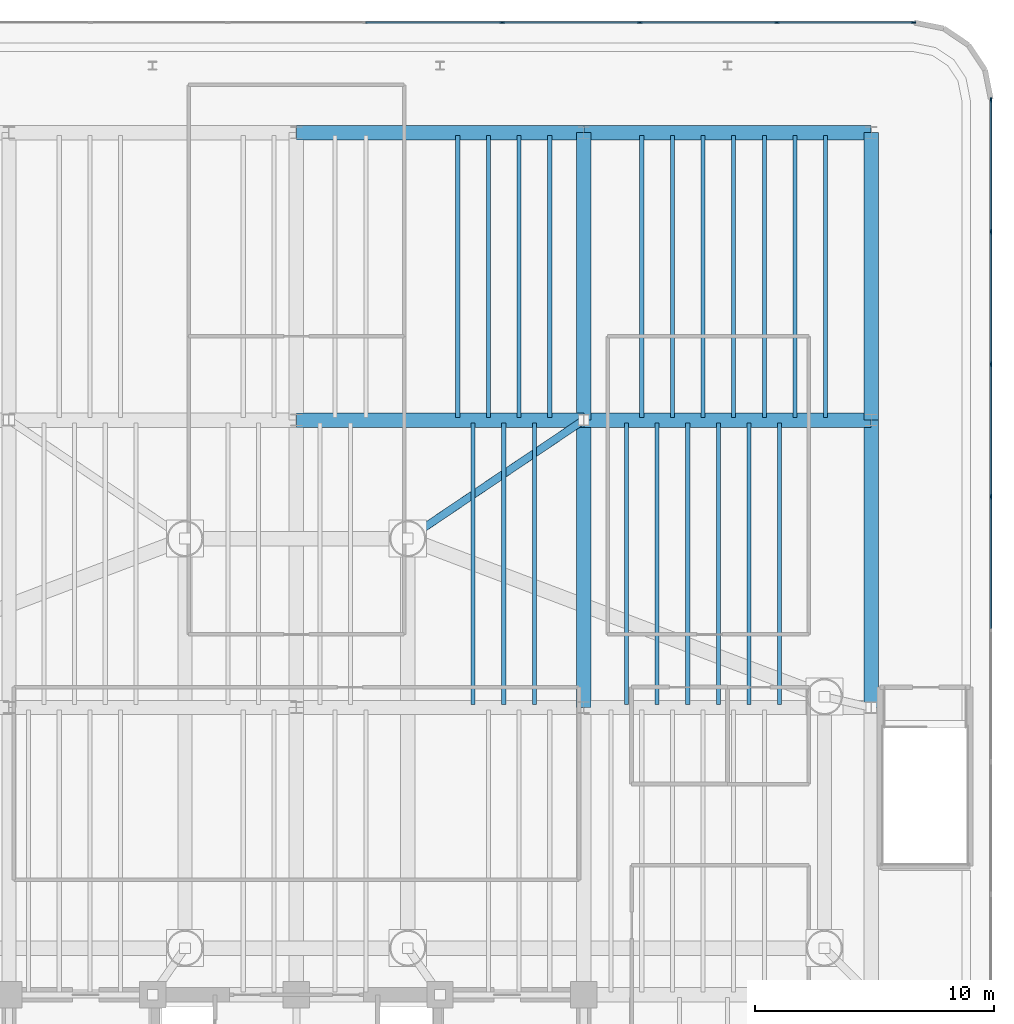
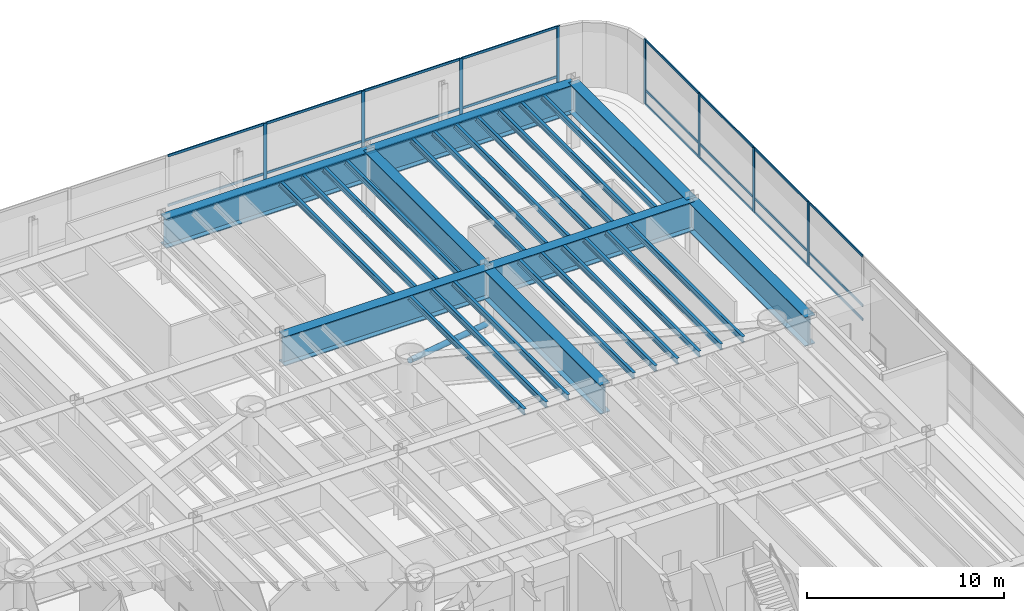
# One storey, part 10 of 18: 33 members, 28 beams, 2 elements without a shape of their own.
"""IFC4 building model written with IfcOpenShell, lengths in metres."""

from ifc_helpers import new_model, si_unit, direction, frame, origin, origin_2d, place, context, subcontext, project, spatial, rectangle, hollow_circle, i_section, extrude, source, transform, mapped, material, layer, layer_set, material_profile, profile_set, type_object, element, aggregate, save


model = new_model("IFC4")

# Units and contexts
model_context = context("Model", 3, precision=1e-05, world=origin(), true_north=direction((0.0, 1.0)))
body_context = subcontext(model_context, "Body", "Model", "MODEL_VIEW")
ifc_project = project(units=[si_unit("LENGTHUNIT", "METRE"), si_unit("AREAUNIT", "SQUARE_METRE"), si_unit("VOLUMEUNIT", "CUBIC_METRE"), si_unit("PLANEANGLEUNIT", "RADIAN"), si_unit("MASSUNIT", "GRAM", prefix="KILO")], contexts=[model_context])

# Site, building, storey
site_placement = place(None, origin())
site = spatial("IfcSite", under=ifc_project, at=site_placement, CompositionType="ELEMENT")
building_placement = place(site_placement, origin())
building = spatial("IfcBuilding", under=site, at=building_placement, Name="Brelvock Crest Care Tower", CompositionType="ELEMENT")
storey_placement = place(building_placement, frame((0.0, 0.0, 22.679931640625)))
storey = spatial("IfcBuildingStorey", under=building, at=storey_placement, Name="L05", CompositionType="ELEMENT", Elevation=22.679931640625)

# Beams
ifc_material_1 = material(Name="Steel Grade 350", Category="steel")
ifc_material_profile_1 = material_profile(ifc_material_1, i_section(OverallWidth=0.172119140625, OverallDepth=0.35888671875, WebThickness=0.008056640625, FlangeThickness=0.012939453125, FilletRadius=0.011474609375, at=origin_2d()), Name="360UB56.7")
ifc_profile_set_1 = profile_set([ifc_material_profile_1], Name="Steel Grade 350")
beam_type_1 = type_object("IfcBeamType", Name="BM-J1", PredefinedType="JOIST", material=ifc_profile_set_1)
shared_shape_1 = source(origin(), body_context, "Body", "SweptSolid", [
    extrude(i_section(OverallWidth=0.172119140625, OverallDepth=0.35888671875, WebThickness=0.008056640625, FlangeThickness=0.012939453125, FilletRadius=0.011474609375, at=origin_2d()), origin(), (0.0, 0.0, 1.0), 11.77001953125),
])
for number, where, z_axis, x_axis, name in (
    (1, (43.3798828125, 30.114990234375, 3.820556640625), (0.0, 1.0, 0.0), (-1.0, 0.0, 0.0), "BM-PODJ-L05-4338-30"),
    (2, (42.739990234375, 42.114990234375, 3.820556640625), (0.0, 1.0, 0.0), (-1.0, 0.0, 0.0), "BM-PODJ-L05-4274-42"),
    (3, (44.659912109375, 30.114990234375, 3.820556640625), (0.0, 1.0, 0.0), (-1.0, 0.0, 0.0), "BM-PODJ-L05-4466-30"),
    (4, (44.02001953125, 42.114990234375, 3.820556640625), (0.0, 1.0, 0.0), (-1.0, 0.0, 0.0), "BM-PODJ-L05-4402-42"),
    (5, (45.93994140625, 30.114990234375, 3.820556640625), (0.0, 1.0, 0.0), (-1.0, 0.0, 0.0), "BM-PODJ-L05-4594-30"),
    (6, (45.300048828125, 42.114990234375, 3.820556640625), (0.0, 1.0, 0.0), (-1.0, 0.0, 0.0), "BM-PODJ-L05-4530-42"),
    (7, (46.580078125, 42.114990234375, 3.820556640625), (0.0, 1.0, 0.0), (-1.0, 0.0, 0.0), "BM-PODJ-L05-4658-42"),
    (8, (49.780029296875, 30.114990234375, 3.820556640625), (0.0, 1.0, 0.0), (-1.0, 0.0, 0.0), "BM-PODJ-L05-4978-30"),
    (9, (51.06005859375, 30.114990234375, 3.820556640625), (0.0, 1.0, 0.0), (-1.0, 0.0, 0.0), "BM-PODJ-L05-5106-30"),
    (10, (50.419921875, 42.114990234375, 3.820556640625), (0.0, 1.0, 0.0), (-1.0, 0.0, 0.0), "BM-PODJ-L05-5042-42"),
    (11, (52.340087890625, 30.114990234375, 3.820556640625), (0.0, 1.0, 0.0), (-1.0, 0.0, 0.0), "BM-PODJ-L05-5234-30"),
    (12, (51.699951171875, 42.114990234375, 3.820556640625), (0.0, 1.0, 0.0), (-1.0, 0.0, 0.0), "BM-PODJ-L05-5170-42"),
    (13, (53.6201171875, 30.114990234375, 3.820556640625), (0.0, 1.0, 0.0), (-1.0, 0.0, 0.0), "BM-PODJ-L05-5362-30"),
    (14, (52.97998046875, 42.114990234375, 3.820556640625), (0.0, 1.0, 0.0), (-1.0, 0.0, 0.0), "BM-PODJ-L05-5298-42"),
    (15, (54.89990234375, 30.114990234375, 3.820556640625), (0.0, 1.0, 0.0), (-1.0, 0.0, 0.0), "BM-PODJ-L05-5490-30"),
    (16, (54.260009765625, 42.114990234375, 3.820556640625), (0.0, 1.0, 0.0), (-1.0, 0.0, 0.0), "BM-PODJ-L05-5426-42"),
    (17, (56.179931640625, 30.114990234375, 3.820556640625), (0.0, 1.0, 0.0), (-1.0, 0.0, 0.0), "BM-PODJ-L05-5618-30"),
    (18, (55.5400390625, 42.114990234375, 3.820556640625), (0.0, 1.0, 0.0), (-1.0, 0.0, 0.0), "BM-PODJ-L05-5554-42"),
    (19, (56.820068359375, 42.114990234375, 3.820556640625), (0.0, 1.0, 0.0), (-1.0, 0.0, 0.0), "BM-PODJ-L05-5682-42"),
    (20, (58.10009765625, 42.114990234375, 3.820556640625), (0.0, 1.0, 0.0), (-1.0, 0.0, 0.0), "BM-PODJ-L05-5810-42"),
):
    element("IfcBeam", number, at=place(storey_placement, frame(where, z_axis=z_axis, x_axis=x_axis)), inside=storey, type_object=beam_type_1, Name=name, PredefinedType="JOIST", context=body_context, shape_type="MappedRepresentation", body=[
        mapped(shared_shape_1, transform((0.0, 0.0, 0.0), x_axis=(1.0, 0.0, 0.0), y_axis=(0.0, 1.0, 0.0), z_axis=(0.0, 0.0, 1.0), scale=1.0)),
    ])
ifc_material_profile_2 = material_profile(ifc_material_1, i_section(OverallWidth=0.60009765625, OverallDepth=1.800048828125, WebThickness=0.028076171875, FlangeThickness=0.052001953125, at=origin_2d()), Name="1800TG740")
ifc_profile_set_2 = profile_set([ifc_material_profile_2], Name="Steel Grade 350")
beam_type_2 = type_object("IfcBeamType", Name="BM-TG1", PredefinedType="USERDEFINED", material=ifc_profile_set_2)
shared_shape_2 = source(origin(), body_context, "Body", "SweptSolid", [
    extrude(i_section(OverallWidth=0.60009765625, OverallDepth=1.800048828125, WebThickness=0.028076171875, FlangeThickness=0.052001953125, at=origin_2d()), origin(), (0.0, 0.0, 1.0), 12.0),
])
for number, where, z_axis, x_axis, name in (
    (21, (36.0, 42.0, 3.10009765625), (1.0, 0.0, 0.0), (0.0, 1.0, 0.0), "BM-PODX-L05-42-36"),
    (22, (48.0, 42.0, 3.10009765625), (1.0, 0.0, 0.0), (0.0, 1.0, 0.0), "BM-PODX-L05-42-48"),
    (23, (36.0, 54.0, 3.10009765625), (1.0, 0.0, 0.0), (0.0, 1.0, 0.0), "BM-PODX-L05-54-36"),
    (24, (48.0, 54.0, 3.10009765625), (1.0, 0.0, 0.0), (0.0, 1.0, 0.0), "BM-PODX-L05-54-48"),
    (25, (48.0, 30.0, 3.10009765625), (0.0, 1.0, 0.0), (-1.0, 0.0, 0.0), "BM-PODY-L05-48-30"),
    (26, (48.0, 42.0, 3.10009765625), (0.0, 1.0, 0.0), (-1.0, 0.0, 0.0), "BM-PODY-L05-48-42"),
    (27, (60.0, 30.0, 3.10009765625), (0.0, 1.0, 0.0), (-1.0, 0.0, 0.0), "BM-PODY-L05-60-30"),
    (28, (60.0, 42.0, 3.10009765625), (0.0, 1.0, 0.0), (-1.0, 0.0, 0.0), "BM-PODY-L05-60-42"),
):
    element("IfcBeam", number, at=place(storey_placement, frame(where, z_axis=z_axis, x_axis=x_axis)), inside=storey, type_object=beam_type_2, Name=name, ObjectType="GIRDER", PredefinedType="USERDEFINED", context=body_context, shape_type="MappedRepresentation", body=[
        mapped(shared_shape_2, transform((0.0, 0.0, 0.0), x_axis=(1.0, 0.0, 0.0), y_axis=(0.0, 1.0, 0.0), z_axis=(0.0, 0.0, 1.0), scale=1.0)),
    ])

# Member
ifc_material_profile_3 = material_profile(ifc_material_1, hollow_circle(Radius=0.161865234375, WallThickness=0.0126953125, at=origin_2d()), Name="CHS323.9x12.7")
ifc_profile_set_3 = profile_set([ifc_material_profile_3], Name="Steel Grade 350")
member_type_1 = type_object("IfcMemberType", Name="MEM-ST1", PredefinedType="STRUT", material=ifc_profile_set_3)
shared_shape_3 = source(origin(), body_context, "Body", "SweptSolid", [
    extrude(hollow_circle(Radius=0.161865234375, WallThickness=0.0126953125, at=origin_2d()), origin(), (0.0, 0.0, 1.0), 9.463134765625),
])
member_1_placement = place(storey_placement, frame((48.0, 42.0, 0.449951171875), z_axis=(-0.776717713092, -0.523083492757, 0.350846481776), x_axis=(0.558591482686, -0.829442918754, 0.0)))
element("IfcMember", 29, at=member_1_placement, inside=storey, type_object=member_type_1, Name="L05 Transfer Strut PST-08", PredefinedType="STRUT", context=body_context, shape_type="MappedRepresentation", body=[
    mapped(shared_shape_3, transform((0.0, 0.0, 0.0), x_axis=(1.0, 0.0, 0.0), y_axis=(0.0, 1.0, 0.0), z_axis=(0.0, 0.0, 1.0), scale=1.0)),
])

# Curtain wall, members
ifc_material_2 = material(Name="Dark Glass Double Glazed Low-E", Category="glass")
ifc_layer = layer(ifc_material_2, 0.179931640625, Name="CWS-1")
ifc_layer_set = layer_set([ifc_layer], Name="Dark Glass Double Glazed Low-E")
curtain_wall_type = type_object("IfcCurtainWallType", Name="CWS-1", PredefinedType="NOTDEFINED", material=ifc_layer_set)
curtain_wall_1_placement = place(storey_placement, origin())
curtain_wall_1 = element("IfcCurtainWall", 30, at=curtain_wall_1_placement, inside=storey, type_object=curtain_wall_type, Name="L05 Curtain Wall E14", PredefinedType="NOTDEFINED")
ifc_material_3 = material(Name="Aluminium 6063-T6", Category="aluminium")
ifc_material_profile_4 = material_profile(ifc_material_3, rectangle(XDim=0.06494140625, YDim=0.14990234375, at=origin_2d()), Name="ALU65x150")
ifc_profile_set_4 = profile_set([ifc_material_profile_4], Name="Aluminium 6063-T6")
member_type_2 = type_object("IfcMemberType", Name="CWT-1", PredefinedType="USERDEFINED", material=ifc_profile_set_4)
shared_shape_4 = source(origin(), body_context, "Body", "SweptSolid", [
    extrude(rectangle(XDim=0.06494140625, YDim=0.14990234375, at=origin_2d()), origin(), (0.0, 0.0, 1.0), 5.435791015625),
])
member_2_placement = place(storey_placement, frame((65.0, 55.3349609375, 0.032470703125), z_axis=(0.0, -1.0, 0.0), x_axis=(1.0, 0.0, 0.0)))
member_2 = element("IfcMember", 31, at=member_2_placement, type_object=member_type_2, Name="CW-1 transom 1.1", ObjectType="TRANSOM", PredefinedType="USERDEFINED", context=body_context, shape_type="MappedRepresentation", body=[
    mapped(shared_shape_4, transform((0.0, 0.0, 0.0), x_axis=(1.0, 0.0, 0.0), y_axis=(0.0, 1.0, 0.0), z_axis=(0.0, 0.0, 1.0), scale=1.0)),
])
member_3_placement = place(storey_placement, frame((65.0, 55.3349609375, 0.900146484375), z_axis=(0.0, -1.0, 0.0), x_axis=(1.0, 0.0, 0.0)))
member_3 = element("IfcMember", 32, at=member_3_placement, type_object=member_type_2, Name="CW-1 transom 1.2", ObjectType="TRANSOM", PredefinedType="USERDEFINED", context=body_context, shape_type="MappedRepresentation", body=[
    mapped(shared_shape_4, transform((0.0, 0.0, 0.0), x_axis=(1.0, 0.0, 0.0), y_axis=(0.0, 1.0, 0.0), z_axis=(0.0, 0.0, 1.0), scale=1.0)),
])
member_4_placement = place(storey_placement, frame((65.0, 55.3349609375, 3.967529296875), z_axis=(0.0, -1.0, 0.0), x_axis=(1.0, 0.0, 0.0)))
member_4 = element("IfcMember", 33, at=member_4_placement, type_object=member_type_2, Name="CW-1 transom 1.3", ObjectType="TRANSOM", PredefinedType="USERDEFINED", context=body_context, shape_type="MappedRepresentation", body=[
    mapped(shared_shape_4, transform((0.0, 0.0, 0.0), x_axis=(1.0, 0.0, 0.0), y_axis=(0.0, 1.0, 0.0), z_axis=(0.0, 0.0, 1.0), scale=1.0)),
])
shared_shape_5 = source(origin(), body_context, "Body", "SweptSolid", [
    extrude(rectangle(XDim=0.06494140625, YDim=0.14990234375, at=origin_2d()), origin(), (0.0, 0.0, 1.0), 5.468505859375),
])
member_5_placement = place(storey_placement, frame((65.0, 49.834228515625, 0.032470703125), z_axis=(0.0, -1.0, 0.0), x_axis=(1.0, 0.0, 0.0)))
member_5 = element("IfcMember", 34, at=member_5_placement, type_object=member_type_2, Name="CW-1 transom 2.1", ObjectType="TRANSOM", PredefinedType="USERDEFINED", context=body_context, shape_type="MappedRepresentation", body=[
    mapped(shared_shape_5, transform((0.0, 0.0, 0.0), x_axis=(1.0, 0.0, 0.0), y_axis=(0.0, 1.0, 0.0), z_axis=(0.0, 0.0, 1.0), scale=1.0)),
])
member_6_placement = place(storey_placement, frame((65.0, 49.834228515625, 0.900146484375), z_axis=(0.0, -1.0, 0.0), x_axis=(1.0, 0.0, 0.0)))
member_6 = element("IfcMember", 35, at=member_6_placement, type_object=member_type_2, Name="CW-1 transom 2.2", ObjectType="TRANSOM", PredefinedType="USERDEFINED", context=body_context, shape_type="MappedRepresentation", body=[
    mapped(shared_shape_5, transform((0.0, 0.0, 0.0), x_axis=(1.0, 0.0, 0.0), y_axis=(0.0, 1.0, 0.0), z_axis=(0.0, 0.0, 1.0), scale=1.0)),
])
member_7_placement = place(storey_placement, frame((65.0, 49.834228515625, 3.967529296875), z_axis=(0.0, -1.0, 0.0), x_axis=(1.0, 0.0, 0.0)))
member_7 = element("IfcMember", 36, at=member_7_placement, type_object=member_type_2, Name="CW-1 transom 2.3", ObjectType="TRANSOM", PredefinedType="USERDEFINED", context=body_context, shape_type="MappedRepresentation", body=[
    mapped(shared_shape_5, transform((0.0, 0.0, 0.0), x_axis=(1.0, 0.0, 0.0), y_axis=(0.0, 1.0, 0.0), z_axis=(0.0, 0.0, 1.0), scale=1.0)),
])
member_8_placement = place(storey_placement, frame((65.0, 38.767578125, 0.032470703125), z_axis=(0.0, -1.0, 0.0), x_axis=(1.0, 0.0, 0.0)))
member_8 = element("IfcMember", 37, at=member_8_placement, type_object=member_type_2, Name="CW-1 transom 4.1", ObjectType="TRANSOM", PredefinedType="USERDEFINED", context=body_context, shape_type="MappedRepresentation", body=[
    mapped(shared_shape_5, transform((0.0, 0.0, 0.0), x_axis=(1.0, 0.0, 0.0), y_axis=(0.0, 1.0, 0.0), z_axis=(0.0, 0.0, 1.0), scale=1.0)),
])
member_9_placement = place(storey_placement, frame((65.0, 38.767578125, 0.900146484375), z_axis=(0.0, -1.0, 0.0), x_axis=(1.0, 0.0, 0.0)))
member_9 = element("IfcMember", 38, at=member_9_placement, type_object=member_type_2, Name="CW-1 transom 4.2", ObjectType="TRANSOM", PredefinedType="USERDEFINED", context=body_context, shape_type="MappedRepresentation", body=[
    mapped(shared_shape_5, transform((0.0, 0.0, 0.0), x_axis=(1.0, 0.0, 0.0), y_axis=(0.0, 1.0, 0.0), z_axis=(0.0, 0.0, 1.0), scale=1.0)),
])
member_10_placement = place(storey_placement, frame((65.0, 38.767578125, 3.967529296875), z_axis=(0.0, -1.0, 0.0), x_axis=(1.0, 0.0, 0.0)))
member_10 = element("IfcMember", 39, at=member_10_placement, type_object=member_type_2, Name="CW-1 transom 4.3", ObjectType="TRANSOM", PredefinedType="USERDEFINED", context=body_context, shape_type="MappedRepresentation", body=[
    mapped(shared_shape_5, transform((0.0, 0.0, 0.0), x_axis=(1.0, 0.0, 0.0), y_axis=(0.0, 1.0, 0.0), z_axis=(0.0, 0.0, 1.0), scale=1.0)),
])
shared_shape_6 = source(origin(), body_context, "Body", "SweptSolid", [
    extrude(rectangle(XDim=0.06494140625, YDim=0.14990234375, at=origin_2d()), origin(), (0.0, 0.0, 1.0), 5.46826171875),
])
member_11_placement = place(storey_placement, frame((65.0, 44.30078125, 0.032470703125), z_axis=(0.0, -1.0, 0.0), x_axis=(1.0, 0.0, 0.0)))
member_11 = element("IfcMember", 40, at=member_11_placement, type_object=member_type_2, Name="CW-1 transom 3.1", ObjectType="TRANSOM", PredefinedType="USERDEFINED", context=body_context, shape_type="MappedRepresentation", body=[
    mapped(shared_shape_6, transform((0.0, 0.0, 0.0), x_axis=(1.0, 0.0, 0.0), y_axis=(0.0, 1.0, 0.0), z_axis=(0.0, 0.0, 1.0), scale=1.0)),
])
member_12_placement = place(storey_placement, frame((65.0, 44.30078125, 0.900146484375), z_axis=(0.0, -1.0, 0.0), x_axis=(1.0, 0.0, 0.0)))
member_12 = element("IfcMember", 41, at=member_12_placement, type_object=member_type_2, Name="CW-1 transom 3.2", ObjectType="TRANSOM", PredefinedType="USERDEFINED", context=body_context, shape_type="MappedRepresentation", body=[
    mapped(shared_shape_6, transform((0.0, 0.0, 0.0), x_axis=(1.0, 0.0, 0.0), y_axis=(0.0, 1.0, 0.0), z_axis=(0.0, 0.0, 1.0), scale=1.0)),
])
member_13_placement = place(storey_placement, frame((65.0, 44.30078125, 3.967529296875), z_axis=(0.0, -1.0, 0.0), x_axis=(1.0, 0.0, 0.0)))
member_13 = element("IfcMember", 42, at=member_13_placement, type_object=member_type_2, Name="CW-1 transom 3.3", ObjectType="TRANSOM", PredefinedType="USERDEFINED", context=body_context, shape_type="MappedRepresentation", body=[
    mapped(shared_shape_6, transform((0.0, 0.0, 0.0), x_axis=(1.0, 0.0, 0.0), y_axis=(0.0, 1.0, 0.0), z_axis=(0.0, 0.0, 1.0), scale=1.0)),
])

curtain_wall_2_placement = place(storey_placement, origin())
curtain_wall_2 = element("IfcCurtainWall", 43, at=curtain_wall_2_placement, inside=storey, type_object=curtain_wall_type, Name="L05 Curtain Wall E09", PredefinedType="NOTDEFINED")
shared_shape_7 = source(origin(), body_context, "Body", "SweptSolid", [
    extrude(rectangle(XDim=0.06494140625, YDim=0.14990234375, at=origin_2d()), origin(), (0.0, 0.0, 1.0), 5.635986328125),
])
member_14_placement = place(storey_placement, frame((56.09912109375, 58.60009765625, 0.032470703125), z_axis=(1.0, 0.0, 0.0), x_axis=(0.0, 1.0, 0.0)))
member_14 = element("IfcMember", 44, at=member_14_placement, type_object=member_type_2, Name="CW-1 transom 9.1", ObjectType="TRANSOM", PredefinedType="USERDEFINED", context=body_context, shape_type="MappedRepresentation", body=[
    mapped(shared_shape_7, transform((0.0, 0.0, 0.0), x_axis=(1.0, 0.0, 0.0), y_axis=(0.0, 1.0, 0.0), z_axis=(0.0, 0.0, 1.0), scale=1.0)),
])
member_15_placement = place(storey_placement, frame((56.09912109375, 58.60009765625, 0.900146484375), z_axis=(1.0, 0.0, 0.0), x_axis=(0.0, 1.0, 0.0)))
member_15 = element("IfcMember", 45, at=member_15_placement, type_object=member_type_2, Name="CW-1 transom 9.2", ObjectType="TRANSOM", PredefinedType="USERDEFINED", context=body_context, shape_type="MappedRepresentation", body=[
    mapped(shared_shape_7, transform((0.0, 0.0, 0.0), x_axis=(1.0, 0.0, 0.0), y_axis=(0.0, 1.0, 0.0), z_axis=(0.0, 0.0, 1.0), scale=1.0)),
])
member_16_placement = place(storey_placement, frame((56.09912109375, 58.60009765625, 3.967529296875), z_axis=(1.0, 0.0, 0.0), x_axis=(0.0, 1.0, 0.0)))
member_16 = element("IfcMember", 46, at=member_16_placement, type_object=member_type_2, Name="CW-1 transom 9.3", ObjectType="TRANSOM", PredefinedType="USERDEFINED", context=body_context, shape_type="MappedRepresentation", body=[
    mapped(shared_shape_7, transform((0.0, 0.0, 0.0), x_axis=(1.0, 0.0, 0.0), y_axis=(0.0, 1.0, 0.0), z_axis=(0.0, 0.0, 1.0), scale=1.0)),
])
shared_shape_8 = source(origin(), body_context, "Body", "SweptSolid", [
    extrude(rectangle(XDim=0.06494140625, YDim=0.14990234375, at=origin_2d()), origin(), (0.0, 0.0, 1.0), 5.66845703125),
])
member_17_placement = place(storey_placement, frame((50.36572265625, 58.60009765625, 0.032470703125), z_axis=(1.0, 0.0, 0.0), x_axis=(0.0, 1.0, 0.0)))
member_17 = element("IfcMember", 47, at=member_17_placement, type_object=member_type_2, Name="CW-1 transom 8.1", ObjectType="TRANSOM", PredefinedType="USERDEFINED", context=body_context, shape_type="MappedRepresentation", body=[
    mapped(shared_shape_8, transform((0.0, 0.0, 0.0), x_axis=(1.0, 0.0, 0.0), y_axis=(0.0, 1.0, 0.0), z_axis=(0.0, 0.0, 1.0), scale=1.0)),
])
member_18_placement = place(storey_placement, frame((50.36572265625, 58.60009765625, 0.900146484375), z_axis=(1.0, 0.0, 0.0), x_axis=(0.0, 1.0, 0.0)))
member_18 = element("IfcMember", 48, at=member_18_placement, type_object=member_type_2, Name="CW-1 transom 8.2", ObjectType="TRANSOM", PredefinedType="USERDEFINED", context=body_context, shape_type="MappedRepresentation", body=[
    mapped(shared_shape_8, transform((0.0, 0.0, 0.0), x_axis=(1.0, 0.0, 0.0), y_axis=(0.0, 1.0, 0.0), z_axis=(0.0, 0.0, 1.0), scale=1.0)),
])
member_19_placement = place(storey_placement, frame((50.36572265625, 58.60009765625, 3.967529296875), z_axis=(1.0, 0.0, 0.0), x_axis=(0.0, 1.0, 0.0)))
member_19 = element("IfcMember", 49, at=member_19_placement, type_object=member_type_2, Name="CW-1 transom 8.3", ObjectType="TRANSOM", PredefinedType="USERDEFINED", context=body_context, shape_type="MappedRepresentation", body=[
    mapped(shared_shape_8, transform((0.0, 0.0, 0.0), x_axis=(1.0, 0.0, 0.0), y_axis=(0.0, 1.0, 0.0), z_axis=(0.0, 0.0, 1.0), scale=1.0)),
])
shared_shape_9 = source(origin(), body_context, "Body", "SweptSolid", [
    extrude(rectangle(XDim=0.06494140625, YDim=0.14990234375, at=origin_2d()), origin(), (0.0, 0.0, 1.0), 5.668212890625),
])
member_20_placement = place(storey_placement, frame((38.899169921875, 58.60009765625, 0.032470703125), z_axis=(1.0, 0.0, 0.0), x_axis=(0.0, 1.0, 0.0)))
member_20 = element("IfcMember", 50, at=member_20_placement, type_object=member_type_2, Name="CW-1 transom 6.1", ObjectType="TRANSOM", PredefinedType="USERDEFINED", context=body_context, shape_type="MappedRepresentation", body=[
    mapped(shared_shape_9, transform((0.0, 0.0, 0.0), x_axis=(1.0, 0.0, 0.0), y_axis=(0.0, 1.0, 0.0), z_axis=(0.0, 0.0, 1.0), scale=1.0)),
])
member_21_placement = place(storey_placement, frame((38.899169921875, 58.60009765625, 0.900146484375), z_axis=(1.0, 0.0, 0.0), x_axis=(0.0, 1.0, 0.0)))
member_21 = element("IfcMember", 51, at=member_21_placement, type_object=member_type_2, Name="CW-1 transom 6.2", ObjectType="TRANSOM", PredefinedType="USERDEFINED", context=body_context, shape_type="MappedRepresentation", body=[
    mapped(shared_shape_9, transform((0.0, 0.0, 0.0), x_axis=(1.0, 0.0, 0.0), y_axis=(0.0, 1.0, 0.0), z_axis=(0.0, 0.0, 1.0), scale=1.0)),
])
member_22_placement = place(storey_placement, frame((38.899169921875, 58.60009765625, 3.967529296875), z_axis=(1.0, 0.0, 0.0), x_axis=(0.0, 1.0, 0.0)))
member_22 = element("IfcMember", 52, at=member_22_placement, type_object=member_type_2, Name="CW-1 transom 6.3", ObjectType="TRANSOM", PredefinedType="USERDEFINED", context=body_context, shape_type="MappedRepresentation", body=[
    mapped(shared_shape_9, transform((0.0, 0.0, 0.0), x_axis=(1.0, 0.0, 0.0), y_axis=(0.0, 1.0, 0.0), z_axis=(0.0, 0.0, 1.0), scale=1.0)),
])
member_23_placement = place(storey_placement, frame((44.632568359375, 58.60009765625, 0.032470703125), z_axis=(1.0, 0.0, 0.0), x_axis=(0.0, 1.0, 0.0)))
member_23 = element("IfcMember", 53, at=member_23_placement, type_object=member_type_2, Name="CW-1 transom 7.1", ObjectType="TRANSOM", PredefinedType="USERDEFINED", context=body_context, shape_type="MappedRepresentation", body=[
    mapped(shared_shape_9, transform((0.0, 0.0, 0.0), x_axis=(1.0, 0.0, 0.0), y_axis=(0.0, 1.0, 0.0), z_axis=(0.0, 0.0, 1.0), scale=1.0)),
])
member_24_placement = place(storey_placement, frame((44.632568359375, 58.60009765625, 0.900146484375), z_axis=(1.0, 0.0, 0.0), x_axis=(0.0, 1.0, 0.0)))
member_24 = element("IfcMember", 54, at=member_24_placement, type_object=member_type_2, Name="CW-1 transom 7.2", ObjectType="TRANSOM", PredefinedType="USERDEFINED", context=body_context, shape_type="MappedRepresentation", body=[
    mapped(shared_shape_9, transform((0.0, 0.0, 0.0), x_axis=(1.0, 0.0, 0.0), y_axis=(0.0, 1.0, 0.0), z_axis=(0.0, 0.0, 1.0), scale=1.0)),
])
member_25_placement = place(storey_placement, frame((44.632568359375, 58.60009765625, 3.967529296875), z_axis=(1.0, 0.0, 0.0), x_axis=(0.0, 1.0, 0.0)))
member_25 = element("IfcMember", 55, at=member_25_placement, type_object=member_type_2, Name="CW-1 transom 7.3", ObjectType="TRANSOM", PredefinedType="USERDEFINED", context=body_context, shape_type="MappedRepresentation", body=[
    mapped(shared_shape_9, transform((0.0, 0.0, 0.0), x_axis=(1.0, 0.0, 0.0), y_axis=(0.0, 1.0, 0.0), z_axis=(0.0, 0.0, 1.0), scale=1.0)),
])
ifc_material_profile_5 = material_profile(ifc_material_3, rectangle(XDim=0.06494140625, YDim=0.199951171875, at=origin_2d()), Name="ALU65x200")
ifc_profile_set_5 = profile_set([ifc_material_profile_5], Name="Aluminium 6063-T6")
member_type_3 = type_object("IfcMemberType", Name="CWM-1", PredefinedType="MULLION", material=ifc_profile_set_5)
shared_shape_10 = source(origin(), body_context, "Body", "SweptSolid", [
    extrude(rectangle(XDim=0.06494140625, YDim=0.199951171875, at=origin_2d()), origin(), (0.0, 0.0, 1.0), 4.0),
])
member_26_placement = place(storey_placement, frame((44.60009765625, 58.60009765625, 0.0), z_axis=(0.0, 0.0, 1.0), x_axis=(0.0, 1.0, 0.0)))
member_26 = element("IfcMember", 56, at=member_26_placement, type_object=member_type_3, Name="CW-1 mullion 7", PredefinedType="MULLION", context=body_context, shape_type="MappedRepresentation", body=[
    mapped(shared_shape_10, transform((0.0, 0.0, 0.0), x_axis=(1.0, 0.0, 0.0), y_axis=(0.0, 1.0, 0.0), z_axis=(0.0, 0.0, 1.0), scale=1.0)),
])
member_27_placement = place(storey_placement, frame((50.333251953125, 58.60009765625, 0.0), z_axis=(0.0, 0.0, 1.0), x_axis=(0.0, 1.0, 0.0)))
member_27 = element("IfcMember", 57, at=member_27_placement, type_object=member_type_3, Name="CW-1 mullion 8", PredefinedType="MULLION", context=body_context, shape_type="MappedRepresentation", body=[
    mapped(shared_shape_10, transform((0.0, 0.0, 0.0), x_axis=(1.0, 0.0, 0.0), y_axis=(0.0, 1.0, 0.0), z_axis=(0.0, 0.0, 1.0), scale=1.0)),
])
member_28_placement = place(storey_placement, frame((56.066650390625, 58.60009765625, 0.0), z_axis=(0.0, 0.0, 1.0), x_axis=(0.0, 1.0, 0.0)))
member_28 = element("IfcMember", 58, at=member_28_placement, type_object=member_type_3, Name="CW-1 mullion 9", PredefinedType="MULLION", context=body_context, shape_type="MappedRepresentation", body=[
    mapped(shared_shape_10, transform((0.0, 0.0, 0.0), x_axis=(1.0, 0.0, 0.0), y_axis=(0.0, 1.0, 0.0), z_axis=(0.0, 0.0, 1.0), scale=1.0)),
])
member_29_placement = place(storey_placement, frame((61.767578125, 58.60009765625, 0.0), z_axis=(0.0, 0.0, 1.0), x_axis=(0.0, 1.0, 0.0)))
member_29 = element("IfcMember", 59, at=member_29_placement, type_object=member_type_3, Name="CW-1 mullion 10", PredefinedType="MULLION", context=body_context, shape_type="MappedRepresentation", body=[
    mapped(shared_shape_10, transform((0.0, 0.0, 0.0), x_axis=(1.0, 0.0, 0.0), y_axis=(0.0, 1.0, 0.0), z_axis=(0.0, 0.0, 1.0), scale=1.0)),
])
aggregate(curtain_wall_2, [member_26, member_27, member_28, member_29, member_20, member_21, member_22, member_23, member_24, member_25, member_17, member_18, member_19, member_14, member_15, member_16])

# Member
member_30_placement = place(storey_placement, frame((65.0, 55.367431640625, 0.0), z_axis=(0.0, 0.0, 1.0), x_axis=(1.0, 0.0, 0.0)))
member_30 = element("IfcMember", 60, at=member_30_placement, type_object=member_type_3, Name="CW-1 mullion 1", PredefinedType="MULLION", context=body_context, shape_type="MappedRepresentation", body=[
    mapped(shared_shape_10, transform((0.0, 0.0, 0.0), x_axis=(1.0, 0.0, 0.0), y_axis=(0.0, 1.0, 0.0), z_axis=(0.0, 0.0, 1.0), scale=1.0)),
])

member_31_placement = place(storey_placement, frame((65.0, 49.86669921875, 0.0), z_axis=(0.0, 0.0, 1.0), x_axis=(1.0, 0.0, 0.0)))
member_31 = element("IfcMember", 61, at=member_31_placement, type_object=member_type_3, Name="CW-1 mullion 2", PredefinedType="MULLION", context=body_context, shape_type="MappedRepresentation", body=[
    mapped(shared_shape_10, transform((0.0, 0.0, 0.0), x_axis=(1.0, 0.0, 0.0), y_axis=(0.0, 1.0, 0.0), z_axis=(0.0, 0.0, 1.0), scale=1.0)),
])

member_32_placement = place(storey_placement, frame((65.0, 44.333251953125, 0.0), z_axis=(0.0, 0.0, 1.0), x_axis=(1.0, 0.0, 0.0)))
member_32 = element("IfcMember", 62, at=member_32_placement, type_object=member_type_3, Name="CW-1 mullion 3", PredefinedType="MULLION", context=body_context, shape_type="MappedRepresentation", body=[
    mapped(shared_shape_10, transform((0.0, 0.0, 0.0), x_axis=(1.0, 0.0, 0.0), y_axis=(0.0, 1.0, 0.0), z_axis=(0.0, 0.0, 1.0), scale=1.0)),
])

member_33_placement = place(storey_placement, frame((65.0, 38.800048828125, 0.0), z_axis=(0.0, 0.0, 1.0), x_axis=(1.0, 0.0, 0.0)))
member_33 = element("IfcMember", 63, at=member_33_placement, type_object=member_type_3, Name="CW-1 mullion 4", PredefinedType="MULLION", context=body_context, shape_type="MappedRepresentation", body=[
    mapped(shared_shape_10, transform((0.0, 0.0, 0.0), x_axis=(1.0, 0.0, 0.0), y_axis=(0.0, 1.0, 0.0), z_axis=(0.0, 0.0, 1.0), scale=1.0)),
])

aggregate(curtain_wall_1, [member_30, member_31, member_32, member_33, member_2, member_3, member_4, member_5, member_6, member_7, member_11, member_12, member_13, member_8, member_9, member_10])

save(model, "model.ifc")
